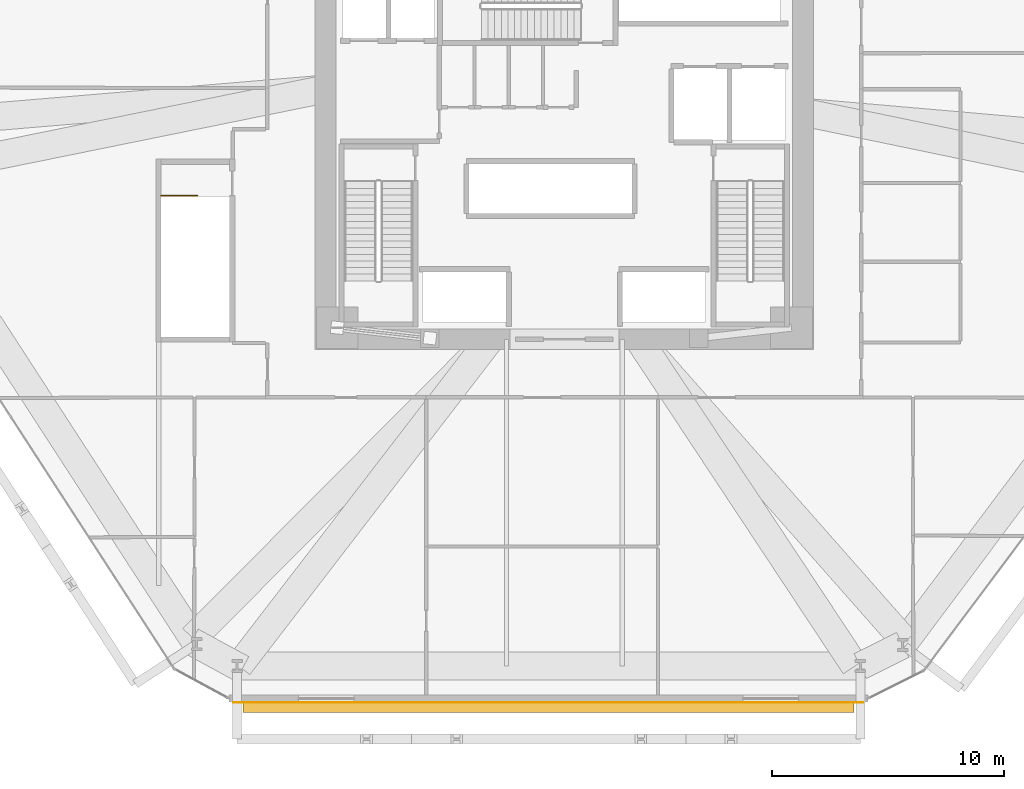
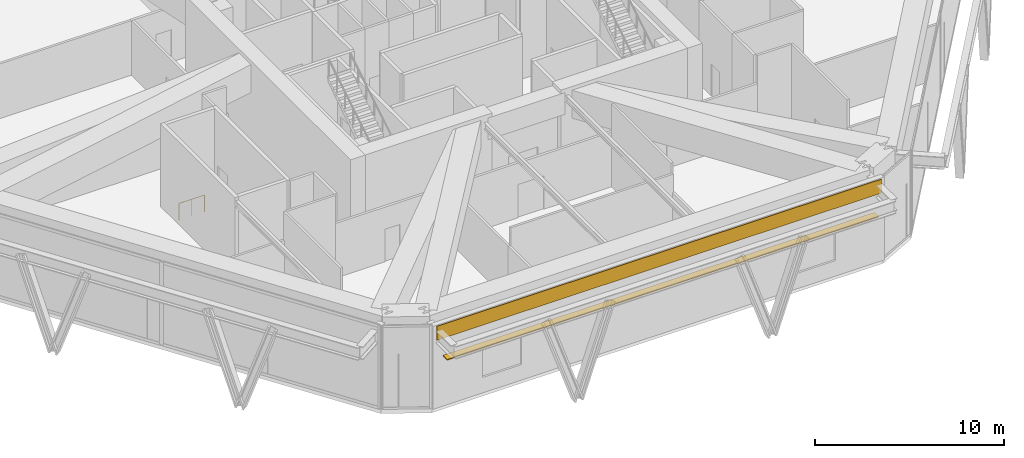
# One storey, part 17 of 19: 1 covering, 1 railing, 1 shading device.
"""IFC4 building model written with IfcOpenShell, lengths in metres."""

from ifc_helpers import new_model, si_unit, direction, frame, origin, origin_2d, place, context, subcontext, project, spatial, rectangle, circle, extrude, source, transform, mapped, material, layer, layer_set, type_object, type_shapes, element, save


model = new_model("IFC4")

# Units and contexts
model_context = context("Model", 3, precision=1e-05, world=origin(), true_north=direction((0.0, 1.0)))
body_context = subcontext(model_context, "Body", "Model", "MODEL_VIEW")
ifc_project = project(units=[si_unit("LENGTHUNIT", "METRE"), si_unit("AREAUNIT", "SQUARE_METRE"), si_unit("VOLUMEUNIT", "CUBIC_METRE"), si_unit("PLANEANGLEUNIT", "RADIAN"), si_unit("MASSUNIT", "GRAM", prefix="KILO")], contexts=[model_context])

# Site, building, storey
site_placement = place(None, origin())
site = spatial("IfcSite", under=ifc_project, at=site_placement, CompositionType="ELEMENT")
building_placement = place(site_placement, origin())
building = spatial("IfcBuilding", under=site, at=building_placement, Name="Durnholm Broadcast Tower", CompositionType="ELEMENT")
storey_placement = place(building_placement, frame((0.0, 0.0, 26.800048828125)))
storey = spatial("IfcBuildingStorey", under=building, at=storey_placement, Name="L05", CompositionType="ELEMENT", Elevation=26.800048828125)

# Railing
ifc_material_1 = material(Name="Painted Tubular Steel Stair Guardrail", Category="steel")
railing_type = type_object("IfcRailingType", Name="RAIL-ST-GRD", PredefinedType="GUARDRAIL", material=ifc_material_1)
railing_placement = place(storey_placement, frame((-17.39990234375, -2.10009765625, 0.0)))
element("IfcRailing", 1, at=railing_placement, inside=storey, type_object=railing_type, Name="L05 ST-4 top well guard 1", PredefinedType="GUARDRAIL", context=body_context, shape_type="SweptSolid", body=[
    extrude(circle(Radius=0.02392578125, at=origin_2d()), frame((0.0, 0.0, 1.076171875), z_axis=(1.0, 0.0, 0.0), x_axis=(0.0, 1.0, 0.0)), (0.0, 0.0, 1.0), 1.559814453125),
    extrude(circle(Radius=0.02099609375, at=origin_2d()), origin(), (0.0, 0.0, 1.0), 1.052001953125),
    extrude(circle(Radius=0.02099609375, at=origin_2d()), frame((0.77978515625, 0.0, 0.0)), (0.0, 0.0, 1.0), 1.052001953125),
    extrude(circle(Radius=0.02099609375, at=origin_2d()), frame((1.559814453125, 0.0, 0.0)), (0.0, 0.0, 1.0), 1.052001953125),
])

# Covering
ifc_material_2 = material(Name="Anodised Aluminium Spandrel Cladding", Category="aluminium")
ifc_layer_1 = layer(ifc_material_2, 0.0400390625)
ifc_layer_set_1 = layer_set([ifc_layer_1], Name="Anodised Aluminium Spandrel Cladding")
covering_type = type_object("IfcCoveringType", Name="COV-EXT-CLAD", PredefinedType="CLADDING", material=ifc_layer_set_1)
shared_shape_1 = source(origin(), body_context, "Body", "SweptSolid", [
    extrude(rectangle(XDim=27.177978515625, YDim=0.0400390625, at=origin_2d()), origin(), (0.0, 0.0, 1.0), 0.89990234375),
])
type_shapes(covering_type, [shared_shape_1])
covering_placement = place(storey_placement, frame((-0.68603515625, -23.969970703125, 4.409912109375), z_axis=(0.0, 0.0, 1.0), x_axis=(-1.0, 0.0, 0.0)))
element("IfcCovering", 2, at=covering_placement, inside=storey, type_object=covering_type, Name="L05 podium spandrel metal cladding 10", PredefinedType="CLADDING", context=body_context, shape_type="MappedRepresentation", body=[
    mapped(shared_shape_1, transform((0.0, 0.0, 0.0), x_axis=(1.0, 0.0, 0.0), y_axis=(0.0, 1.0, 0.0), z_axis=(0.0, 0.0, 1.0), scale=1.0)),
])

# Shading device
ifc_material_3 = material(Name="Extruded Aluminium Sunshade Fin", Category="aluminium")
ifc_layer_2 = layer(ifc_material_3, 0.06005859375)
ifc_layer_set_2 = layer_set([ifc_layer_2], Name="Extruded Aluminium Sunshade Fin")
shading_device_type = type_object("IfcShadingDeviceType", Name="SHD-SUN-BLADE", PredefinedType="JALOUSIE", material=ifc_layer_set_2)
shared_shape_2 = source(origin(), body_context, "Body", "SweptSolid", [
    extrude(rectangle(XDim=26.3779296875, YDim=0.449951171875, at=origin_2d()), origin(), (0.0, 0.0, 1.0), 0.06005859375),
])
type_shapes(shading_device_type, [shared_shape_2])
shading_device_placement = place(storey_placement, frame((-0.68603515625, -24.169921875, 3.219970703125), z_axis=(0.0, 0.0, 1.0), x_axis=(-1.0, 0.0, 0.0)))
element("IfcShadingDevice", 3, at=shading_device_placement, inside=storey, type_object=shading_device_type, Name="L05 studio horizontal solar sunshade 10", PredefinedType="JALOUSIE", context=body_context, shape_type="MappedRepresentation", body=[
    mapped(shared_shape_2, transform((0.0, 0.0, 0.0), x_axis=(1.0, 0.0, 0.0), y_axis=(0.0, 1.0, 0.0), z_axis=(0.0, 0.0, 1.0), scale=1.0)),
])

save(model, "model.ifc")
